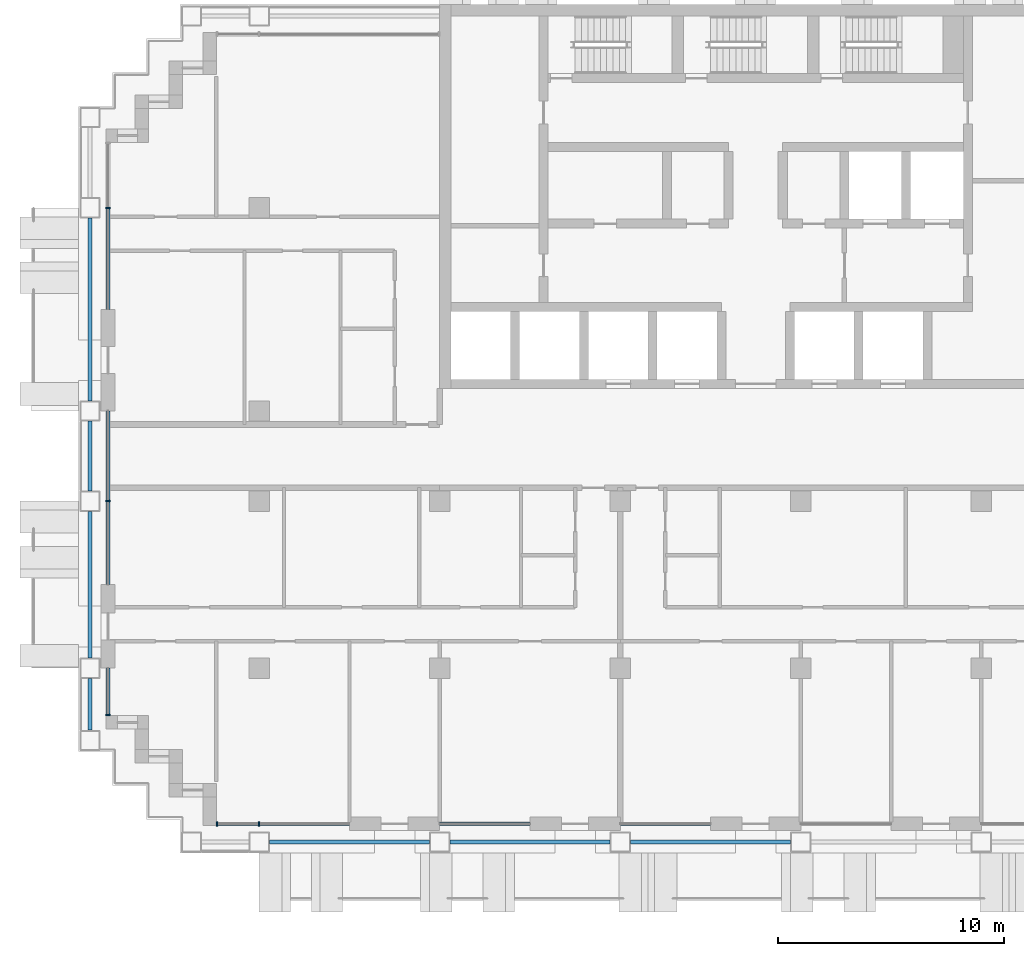
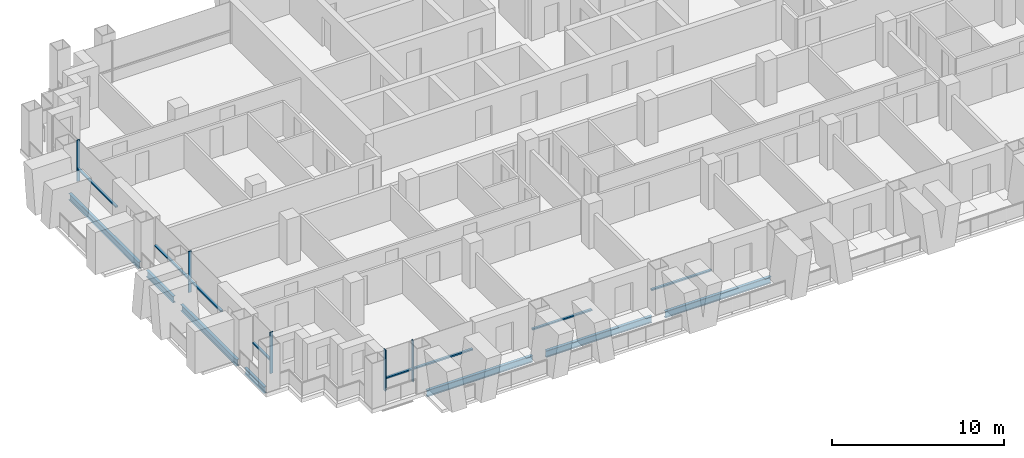
# One storey, part 2 of 17: 13 members, 7 beams, 6 elements without a shape of their own.
"""IFC4 building model written with IfcOpenShell, lengths in metres."""

from ifc_helpers import new_model, si_unit, direction, frame, origin, origin_2d, place, context, subcontext, project, spatial, rectangle, i_section, extrude, material, material_profile, profile_set, type_object, element, aggregate, save


model = new_model("IFC4")

# Units and contexts
model_context = context("Model", 3, precision=1e-05, world=origin(), true_north=direction((0.0, 1.0)))
body_context = subcontext(model_context, "Body", "Model", "MODEL_VIEW")
ifc_project = project(units=[si_unit("LENGTHUNIT", "METRE"), si_unit("AREAUNIT", "SQUARE_METRE"), si_unit("VOLUMEUNIT", "CUBIC_METRE"), si_unit("PLANEANGLEUNIT", "RADIAN"), si_unit("MASSUNIT", "GRAM", prefix="KILO")], contexts=[model_context])

# Site, building, storey
site_placement = place(None, origin())
site = spatial("IfcSite", under=ifc_project, at=site_placement, CompositionType="ELEMENT")
building_placement = place(site_placement, origin())
building = spatial("IfcBuilding", under=site, at=building_placement, Name="Vidyagriha Tower", CompositionType="ELEMENT")
storey_placement = place(building_placement, frame((0.0, 0.0, 96.699951171875)))
storey = spatial("IfcBuildingStorey", under=building, at=storey_placement, Name="L25", CompositionType="ELEMENT", Elevation=96.699951171875)

# Beams
ifc_material_1 = material(Name="Steel ASTM A992 Grade 50", Category="steel")
ifc_material_profile_1 = material_profile(ifc_material_1, i_section(OverallWidth=0.19189453125, OverallDepth=0.46240234375, WebThickness=0.010498046875, FlangeThickness=0.017578125, at=origin_2d()), Name="W18X60")
ifc_profile_set_1 = profile_set([ifc_material_profile_1], Name="Steel ASTM A992 Grade 50")
beam_type = type_object("IfcBeamType", Name="Edge beam W18X60", PredefinedType="SPANDREL", material=ifc_profile_set_1)
for number, where, z_axis, x_axis, name in (
    (1, (-21.550048828125, -17.10009765625, -0.510986328125), (1.0, 0.0, 0.0), (0.0, 1.0, 0.0), "st-beam-L25-S02"),
    (2, (-13.550048828125, -17.10009765625, -0.510986328125), (1.0, 0.0, 0.0), (0.0, 1.0, 0.0), "st-beam-L25-S03"),
    (3, (-5.550048828125, -17.10009765625, -0.510986328125), (1.0, 0.0, 0.0), (0.0, 1.0, 0.0), "st-beam-L25-S04"),
):
    element("IfcBeam", number, at=place(storey_placement, frame(where, z_axis=z_axis, x_axis=x_axis)), inside=storey, type_object=beam_type, Name=name, PredefinedType="SPANDREL", context=body_context, shape_type="SweptSolid", body=[
        extrude(i_section(OverallWidth=0.19189453125, OverallDepth=0.46240234375, WebThickness=0.010498046875, FlangeThickness=0.017578125, at=origin_2d()), origin(), (0.0, 0.0, 1.0), 7.10009765625),
    ])
beam_1_placement = place(storey_placement, frame((-29.5, -12.14990234375, -0.510986328125), z_axis=(0.0, 1.0, 0.0), x_axis=(-1.0, 0.0, 0.0)))
element("IfcBeam", 4, at=beam_1_placement, inside=storey, type_object=beam_type, Name="st-beam-L25-W10", PredefinedType="SPANDREL", context=body_context, shape_type="SweptSolid", body=[
    extrude(i_section(OverallWidth=0.19189453125, OverallDepth=0.46240234375, WebThickness=0.010498046875, FlangeThickness=0.017578125, at=origin_2d()), origin(), (0.0, 0.0, 1.0), 2.2998046875),
])
beam_2_placement = place(storey_placement, frame((-29.5, -8.949951171875, -0.510986328125), z_axis=(0.0, 1.0, 0.0), x_axis=(-1.0, 0.0, 0.0)))
element("IfcBeam", 5, at=beam_2_placement, inside=storey, type_object=beam_type, Name="st-beam-L25-W11", PredefinedType="SPANDREL", context=body_context, shape_type="SweptSolid", body=[
    extrude(i_section(OverallWidth=0.19189453125, OverallDepth=0.46240234375, WebThickness=0.010498046875, FlangeThickness=0.017578125, at=origin_2d()), origin(), (0.0, 0.0, 1.0), 6.5),
])
beam_3_placement = place(storey_placement, frame((-29.5, -1.550048828125, -0.510986328125), z_axis=(0.0, 1.0, 0.0), x_axis=(-1.0, 0.0, 0.0)))
element("IfcBeam", 6, at=beam_3_placement, inside=storey, type_object=beam_type, Name="st-beam-L25-W12", PredefinedType="SPANDREL", context=body_context, shape_type="SweptSolid", body=[
    extrude(i_section(OverallWidth=0.19189453125, OverallDepth=0.46240234375, WebThickness=0.010498046875, FlangeThickness=0.017578125, at=origin_2d()), origin(), (0.0, 0.0, 1.0), 3.10009765625),
])
beam_4_placement = place(storey_placement, frame((-29.5, 2.449951171875, -0.510986328125), z_axis=(0.0, 1.0, 0.0), x_axis=(-1.0, 0.0, 0.0)))
element("IfcBeam", 7, at=beam_4_placement, inside=storey, type_object=beam_type, Name="st-beam-L25-W13", PredefinedType="SPANDREL", context=body_context, shape_type="SweptSolid", body=[
    extrude(i_section(OverallWidth=0.19189453125, OverallDepth=0.46240234375, WebThickness=0.010498046875, FlangeThickness=0.017578125, at=origin_2d()), origin(), (0.0, 0.0, 1.0), 8.10009765625),
])

# Curtain wall, member
ifc_material_2 = material(Name="Aluminium and glass curtain wall", Category="aluminium")
curtain_wall_type = type_object("IfcCurtainWallType", Name="Dwelling skin unitised curtain wall", PredefinedType="USERDEFINED", material=ifc_material_2)
curtain_wall_1_placement = place(storey_placement, origin())
curtain_wall_1 = element("IfcCurtainWall", 8, at=curtain_wall_1_placement, inside=storey, type_object=curtain_wall_type, Name="CW1 dwelling skin", ObjectType="UNITISED", PredefinedType="USERDEFINED")
ifc_material_3 = material(Name="Aluminium black anodised", Category="aluminium")
ifc_material_profile_2 = material_profile(ifc_material_3, rectangle(XDim=0.199951171875, YDim=0.070068359375, at=origin_2d()), Name="Mullion 70x200 black aluminium")
ifc_profile_set_2 = profile_set([ifc_material_profile_2], Name="Aluminium black anodised")
member_type_1 = type_object("IfcMemberType", Name="Mullion 70x200 black aluminium", PredefinedType="MULLION", material=ifc_profile_set_2)
member_1_placement = place(storey_placement, frame((-28.699951171875, 11.0, 0.0)))
member_1 = element("IfcMember", 9, at=member_1_placement, type_object=member_type_1, Name="CW1 mullion 2", PredefinedType="MULLION", context=body_context, shape_type="SweptSolid", body=[
    extrude(rectangle(XDim=0.199951171875, YDim=0.070068359375, at=origin_2d()), origin(), (0.0, 0.0, 1.0), 2.920166015625),
])

curtain_wall_2_placement = place(storey_placement, origin())
curtain_wall_2 = element("IfcCurtainWall", 10, at=curtain_wall_2_placement, inside=storey, type_object=curtain_wall_type, Name="CW1 dwelling skin", ObjectType="UNITISED", PredefinedType="USERDEFINED")
member_2_placement = place(storey_placement, frame((-28.699951171875, -2.0, 0.0)))
member_2 = element("IfcMember", 11, at=member_2_placement, type_object=member_type_1, Name="CW1 mullion 2", PredefinedType="MULLION", context=body_context, shape_type="SweptSolid", body=[
    extrude(rectangle(XDim=0.199951171875, YDim=0.070068359375, at=origin_2d()), origin(), (0.0, 0.0, 1.0), 2.920166015625),
])

curtain_wall_3_placement = place(storey_placement, origin())
curtain_wall_3 = element("IfcCurtainWall", 12, at=curtain_wall_3_placement, inside=storey, type_object=curtain_wall_type, Name="CW1 dwelling skin", ObjectType="UNITISED", PredefinedType="USERDEFINED")
member_3_placement = place(storey_placement, frame((-28.699951171875, -11.465087890625, 0.0)))
member_3 = element("IfcMember", 13, at=member_3_placement, type_object=member_type_1, Name="CW1 mullion 2", PredefinedType="MULLION", context=body_context, shape_type="SweptSolid", body=[
    extrude(rectangle(XDim=0.199951171875, YDim=0.070068359375, at=origin_2d()), origin(), (0.0, 0.0, 1.0), 2.920166015625),
])

# Curtain wall, members
curtain_wall_4_placement = place(storey_placement, origin())
curtain_wall_4 = element("IfcCurtainWall", 14, at=curtain_wall_4_placement, inside=storey, type_object=curtain_wall_type, Name="CW1 dwelling skin", ObjectType="UNITISED", PredefinedType="USERDEFINED")
member_4_placement = place(storey_placement, frame((-23.864990234375, -16.300048828125, 0.0), z_axis=(0.0, 0.0, 1.0), x_axis=(0.0, 1.0, 0.0)))
member_4 = element("IfcMember", 15, at=member_4_placement, type_object=member_type_1, Name="CW1 mullion 1", PredefinedType="MULLION", context=body_context, shape_type="SweptSolid", body=[
    extrude(rectangle(XDim=0.199951171875, YDim=0.070068359375, at=origin_2d()), origin(), (0.0, 0.0, 1.0), 2.920166015625),
])
member_5_placement = place(storey_placement, frame((-22.0, -16.300048828125, 0.0), z_axis=(0.0, 0.0, 1.0), x_axis=(0.0, 1.0, 0.0)))
member_5 = element("IfcMember", 16, at=member_5_placement, type_object=member_type_1, Name="CW1 mullion 2", PredefinedType="MULLION", context=body_context, shape_type="SweptSolid", body=[
    extrude(rectangle(XDim=0.199951171875, YDim=0.070068359375, at=origin_2d()), origin(), (0.0, 0.0, 1.0), 2.920166015625),
])

# Member
ifc_material_4 = material(Name="Aluminium black anodised", Category="aluminium")
ifc_material_profile_3 = material_profile(ifc_material_4, rectangle(XDim=0.159912109375, YDim=0.10009765625, at=origin_2d()), Name="Transom 100x160 black aluminium")
ifc_profile_set_3 = profile_set([ifc_material_profile_3], Name="Aluminium black anodised")
member_type_2 = type_object("IfcMemberType", Name="Transom 100x160 black aluminium", PredefinedType="USERDEFINED", material=ifc_profile_set_3)
member_6_placement = place(storey_placement, frame((-28.699951171875, 10.965087890625, 0.900146484375), z_axis=(0.0, -1.0, 0.0), x_axis=(1.0, 0.0, 0.0)))
member_6 = element("IfcMember", 17, at=member_6_placement, type_object=member_type_2, Name="CW1 transom 2.1", ObjectType="TRANSOM", PredefinedType="USERDEFINED", context=body_context, shape_type="SweptSolid", body=[
    extrude(rectangle(XDim=0.159912109375, YDim=0.10009765625, at=origin_2d()), origin(), (0.0, 0.0, 1.0), 4.465087890625),
])

aggregate(curtain_wall_1, [member_1, member_6])

member_7_placement = place(storey_placement, frame((-28.699951171875, 2.0, 0.900146484375), z_axis=(0.0, -1.0, 0.0), x_axis=(1.0, 0.0, 0.0)))
member_7 = element("IfcMember", 18, at=member_7_placement, type_object=member_type_2, Name="CW1 transom 1.1", ObjectType="TRANSOM", PredefinedType="USERDEFINED", context=body_context, shape_type="SweptSolid", body=[
    extrude(rectangle(XDim=0.159912109375, YDim=0.10009765625, at=origin_2d()), origin(), (0.0, 0.0, 1.0), 3.965087890625),
])

member_8_placement = place(storey_placement, frame((-28.699951171875, -2.034912109375, 0.900146484375), z_axis=(0.0, -1.0, 0.0), x_axis=(1.0, 0.0, 0.0)))
member_8 = element("IfcMember", 19, at=member_8_placement, type_object=member_type_2, Name="CW1 transom 2.1", ObjectType="TRANSOM", PredefinedType="USERDEFINED", context=body_context, shape_type="SweptSolid", body=[
    extrude(rectangle(XDim=0.159912109375, YDim=0.10009765625, at=origin_2d()), origin(), (0.0, 0.0, 1.0), 3.6650390625),
])

aggregate(curtain_wall_2, [member_2, member_7, member_8])

member_9_placement = place(storey_placement, frame((-28.699951171875, -9.39990234375, 0.900146484375), z_axis=(0.0, -1.0, 0.0), x_axis=(1.0, 0.0, 0.0)))
member_9 = element("IfcMember", 20, at=member_9_placement, type_object=member_type_2, Name="CW1 transom 1.1", ObjectType="TRANSOM", PredefinedType="USERDEFINED", context=body_context, shape_type="SweptSolid", body=[
    extrude(rectangle(XDim=0.159912109375, YDim=0.10009765625, at=origin_2d()), origin(), (0.0, 0.0, 1.0), 2.030029296875),
])

aggregate(curtain_wall_3, [member_3, member_9])

member_10_placement = place(storey_placement, frame((-23.830078125, -16.300048828125, 0.900146484375), z_axis=(1.0, 0.0, 0.0), x_axis=(0.0, 1.0, 0.0)))
member_10 = element("IfcMember", 21, at=member_10_placement, type_object=member_type_2, Name="CW1 transom 1.1", ObjectType="TRANSOM", PredefinedType="USERDEFINED", context=body_context, shape_type="SweptSolid", body=[
    extrude(rectangle(XDim=0.159912109375, YDim=0.10009765625, at=origin_2d()), origin(), (0.0, 0.0, 1.0), 1.795166015625),
])

member_11_placement = place(storey_placement, frame((-21.965087890625, -16.300048828125, 0.900146484375), z_axis=(1.0, 0.0, 0.0), x_axis=(0.0, 1.0, 0.0)))
member_11 = element("IfcMember", 22, at=member_11_placement, type_object=member_type_2, Name="CW1 transom 2.1", ObjectType="TRANSOM", PredefinedType="USERDEFINED", context=body_context, shape_type="SweptSolid", body=[
    extrude(rectangle(XDim=0.159912109375, YDim=0.10009765625, at=origin_2d()), origin(), (0.0, 0.0, 1.0), 3.965087890625),
])

aggregate(curtain_wall_4, [member_4, member_5, member_10, member_11])

# Curtain wall, member
curtain_wall_5_placement = place(storey_placement, origin())
curtain_wall_5 = element("IfcCurtainWall", 23, at=curtain_wall_5_placement, inside=storey, type_object=curtain_wall_type, Name="CW1 dwelling skin", ObjectType="UNITISED", PredefinedType="USERDEFINED")
member_12_placement = place(storey_placement, frame((-14.0, -16.300048828125, 0.900146484375), z_axis=(1.0, 0.0, 0.0), x_axis=(0.0, 1.0, 0.0)))
member_12 = element("IfcMember", 24, at=member_12_placement, type_object=member_type_2, Name="CW1 transom 1.1", ObjectType="TRANSOM", PredefinedType="USERDEFINED", context=body_context, shape_type="SweptSolid", body=[
    extrude(rectangle(XDim=0.159912109375, YDim=0.10009765625, at=origin_2d()), origin(), (0.0, 0.0, 1.0), 4.0),
])
aggregate(curtain_wall_5, [member_12])

curtain_wall_6_placement = place(storey_placement, origin())
curtain_wall_6 = element("IfcCurtainWall", 25, at=curtain_wall_6_placement, inside=storey, type_object=curtain_wall_type, Name="CW1 dwelling skin", ObjectType="UNITISED", PredefinedType="USERDEFINED")
member_13_placement = place(storey_placement, frame((-6.0, -16.300048828125, 0.900146484375), z_axis=(1.0, 0.0, 0.0), x_axis=(0.0, 1.0, 0.0)))
member_13 = element("IfcMember", 26, at=member_13_placement, type_object=member_type_2, Name="CW1 transom 1.1", ObjectType="TRANSOM", PredefinedType="USERDEFINED", context=body_context, shape_type="SweptSolid", body=[
    extrude(rectangle(XDim=0.159912109375, YDim=0.10009765625, at=origin_2d()), origin(), (0.0, 0.0, 1.0), 4.0),
])
aggregate(curtain_wall_6, [member_13])

save(model, "model.ifc")
